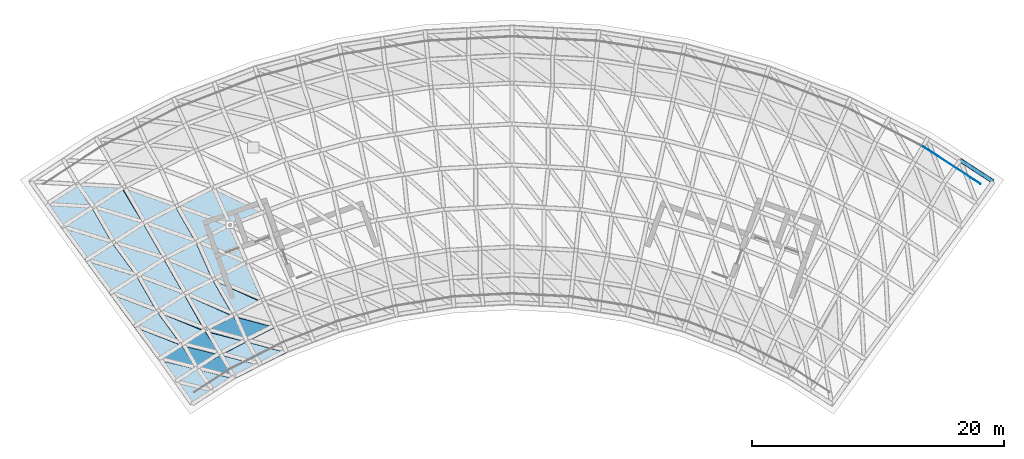
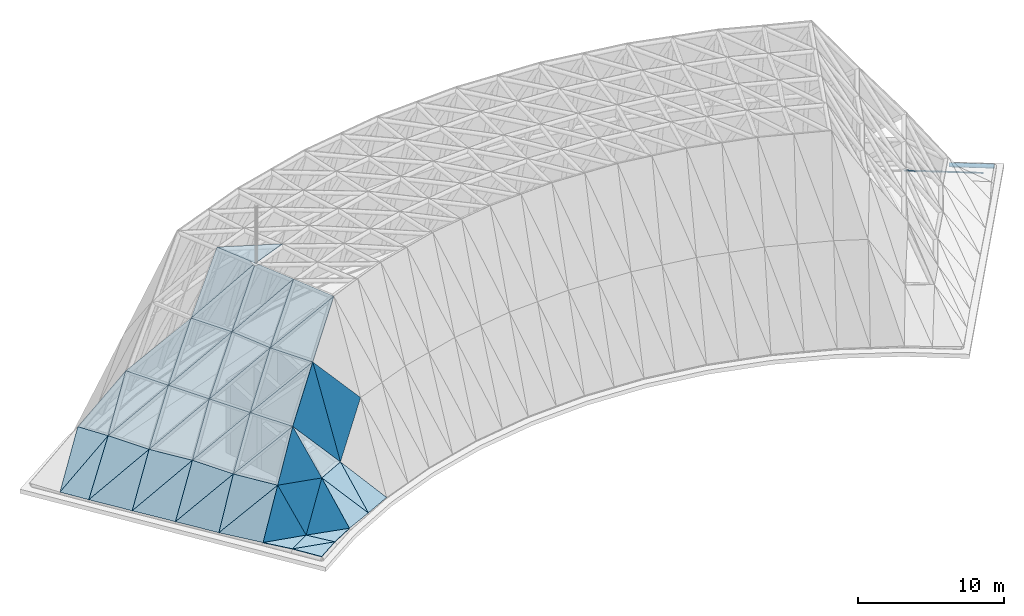
# One storey, part 11 of 20: 47 plates, 2 members, 12 elements without a shape of their own.
"""IFC4 building model written with IfcOpenShell, lengths in metres."""

from ifc_helpers import new_model, si_unit, direction, frame, origin, origin_2d, place, context, subcontext, project, spatial, polyline, rectangle, hollow_circle, outline, extrude, material, layer, layer_set, material_profile, profile_set, type_object, element, aggregate, save


model = new_model("IFC4")

# Units and contexts
model_context = context("Model", 3, precision=1e-05, world=origin(), true_north=direction((0.0, 1.0)))
body_context = subcontext(model_context, "Body", "Model", "MODEL_VIEW")
ifc_project = project(units=[si_unit("LENGTHUNIT", "METRE"), si_unit("AREAUNIT", "SQUARE_METRE"), si_unit("VOLUMEUNIT", "CUBIC_METRE"), si_unit("PLANEANGLEUNIT", "RADIAN"), si_unit("MASSUNIT", "GRAM", prefix="KILO")], contexts=[model_context])

# Site, building, storey
site_placement = place(None, origin())
site = spatial("IfcSite", under=ifc_project, at=site_placement, CompositionType="ELEMENT")
building_placement = place(site_placement, origin())
building = spatial("IfcBuilding", under=site, at=building_placement, Name="Stone Belt Terrace Tower", CompositionType="ELEMENT")
storey_placement = place(building_placement, frame((0.0, 0.0, 337.39990234375)))
storey = spatial("IfcBuildingStorey", under=building, at=storey_placement, Name="RF", CompositionType="ELEMENT", Elevation=337.39990234375)

# Members
ifc_material_1 = material(Name="Structural steel C345", Category="steel")
ifc_material_profile_1 = material_profile(ifc_material_1, hollow_circle(Radius=0.16259765625, WallThickness=0.011962890625, at=origin_2d()), Name="Structural steel C345 CHS 325x12")
ifc_profile_set_1 = profile_set([ifc_material_profile_1], Name="Structural steel C345")
member_type_1 = type_object("IfcMemberType", Name="Crown ring and ridge tube CHS 325 x 12", PredefinedType="CHORD", material=ifc_profile_set_1)
member_1_placement = place(storey_placement, frame((35.562255859375, 55.375732421875, 0.16259765625), z_axis=(0.838932264631, -0.544235845348, 0.0), x_axis=(0.544235845348, 0.838932264631, 0.0)))
element("IfcMember", 1, at=member_1_placement, inside=storey, type_object=member_type_1, Name="CROWN FRAME ring beam 577", PredefinedType="CHORD", context=body_context, shape_type="SweptSolid", body=[
    extrude(hollow_circle(Radius=0.16259765625, WallThickness=0.011962890625, at=origin_2d()), origin(), (0.0, 0.0, 1.0), 3.114013671875),
])
ifc_material_2 = material(Name="Stainless steel AISI 304", Category="steel")
ifc_material_profile_2 = material_profile(ifc_material_2, rectangle(XDim=0.050048828125, YDim=0.10009765625, at=origin_2d()), Name="Stainless steel AISI 304 100x50")
ifc_profile_set_2 = profile_set([ifc_material_profile_2], Name="Stainless steel AISI 304")
member_type_2 = type_object("IfcMemberType", Name="Snow retention bar 100 x 50", PredefinedType="MEMBER", material=ifc_profile_set_2)
member_2_placement = place(storey_placement, frame((32.599365234375, 56.463134765625, 0.050048828125), z_axis=(0.838953554469, -0.544203025942, 0.0), x_axis=(0.544203025942, 0.838953554469, 0.0)))
element("IfcMember", 2, at=member_2_placement, inside=storey, type_object=member_type_2, Name="SNOW GUARD retention bar outer 12", PredefinedType="MEMBER", context=body_context, shape_type="SweptSolid", body=[
    extrude(rectangle(XDim=0.050048828125, YDim=0.10009765625, at=origin_2d()), origin(), (0.0, 0.0, 1.0), 5.454345703125),
])

# Curtain wall, plate
ifc_layer_1 = layer(ifc_material_1, 0.324951171875)
ifc_layer_set_1 = layer_set([ifc_layer_1], Name="CW-F glass point curtain wall")
curtain_wall_type = type_object("IfcCurtainWallType", Name="CW-F glass point curtain wall", PredefinedType="NOTDEFINED", material=ifc_layer_set_1)
curtain_wall_1_placement = place(storey_placement, origin())
curtain_wall_1 = element("IfcCurtainWall", 3, at=curtain_wall_1_placement, inside=storey, type_object=curtain_wall_type, Name="CW-F glass point panels 29", PredefinedType="NOTDEFINED")
ifc_material_3 = material(Name="Clear double glazed unit")
ifc_layer_2 = layer(ifc_material_3, 0.044921875)
ifc_layer_set_2 = layer_set([ifc_layer_2], Name="Glass point facet panel 45")
plate_type = type_object("IfcPlateType", Name="Glass point facet panel 45", PredefinedType="CURTAIN_PANEL", material=ifc_layer_set_2)
plate_1_placement = place(storey_placement, frame((-30.997314453125, 53.231689453125, 7.497314453125), z_axis=(-0.642670945578, -0.456290396825, 0.615445472382), x_axis=(-0.504648433516, -0.352303728586, -0.788170058664)))
plate_1 = element("IfcPlate", 4, at=plate_1_placement, type_object=plate_type, Name="GLASS POINT FACET 6", PredefinedType="CURTAIN_PANEL", context=body_context, shape_type="SweptSolid", body=[
    extrude(outline(polyline([(0.0, 0.0), (4.624971009498672, 1.3704315460216776e-16), (4.569063448269762, -2.3147664331014144), (0.0, 0.0)])), origin(), (0.0, 0.0, -1.0), 0.044921875),
])

curtain_wall_2_placement = place(storey_placement, origin())
curtain_wall_2 = element("IfcCurtainWall", 5, at=curtain_wall_2_placement, inside=storey, type_object=curtain_wall_type, Name="CW-F glass point panels 15", PredefinedType="NOTDEFINED")
plate_2_placement = place(storey_placement, frame((-35.77783203125, 50.02685546875, 0.289794921875), z_axis=(-0.631502130375, -0.448946223854, 0.632180628791), x_axis=(-0.578451173205, 0.815715713597, 0.001454238107)))
plate_2 = element("IfcPlate", 6, at=plate_2_placement, type_object=plate_type, Name="GLASS POINT FACET 7", PredefinedType="CURTAIN_PANEL", context=body_context, shape_type="SweptSolid", body=[
    extrude(outline(polyline([(0.0, 0.0), (2.182467994455267, 1.3183898417423734e-16), (-0.1250143894548064, -4.600599357459272), (0.0, 0.0)])), origin(), (0.0, 0.0, -1.0), 0.044921875),
])

curtain_wall_3_placement = place(storey_placement, origin())
curtain_wall_3 = element("IfcCurtainWall", 7, at=curtain_wall_3_placement, inside=storey, type_object=curtain_wall_type, Name="CW-F glass point panels 35", PredefinedType="NOTDEFINED")
plate_3_placement = place(storey_placement, frame((-34.636474609375, 53.513671875, 3.90625), z_axis=(-0.631477631685, -0.449022725506, 0.63215076735), x_axis=(0.564106453596, -0.825387910047, -0.022775139061)))
plate_3 = element("IfcPlate", 8, at=plate_3_placement, type_object=plate_type, Name="GLASS POINT FACET 8", PredefinedType="CURTAIN_PANEL", context=body_context, shape_type="SweptSolid", body=[
    extrude(outline(polyline([(0.0, 0.0), (2.315435917144852, -6.938893903907228e-17), (0.13526311848683956, -4.661897205819855), (0.0, 0.0)])), origin(), (0.0, 0.0, -1.0), 0.044921875),
])

curtain_wall_4_placement = place(storey_placement, origin())
curtain_wall_4 = element("IfcCurtainWall", 9, at=curtain_wall_4_placement, inside=storey, type_object=curtain_wall_type, Name="CW-F glass point panels 1", PredefinedType="NOTDEFINED")
plate_4_placement = place(storey_placement, frame((-35.778564453125, 50.027587890625, 0.28955078125), z_axis=(-0.671008804428, -0.387438698825, 0.632169628369), x_axis=(0.531891946398, 0.342480051271, 0.774466507887)))
plate_4 = element("IfcPlate", 10, at=plate_4_placement, type_object=plate_type, Name="GLASS POINT FACET 9", PredefinedType="CURTAIN_PANEL", context=body_context, shape_type="SweptSolid", body=[
    extrude(outline(polyline([(0.0, 0.0), (4.601516872367612, -1.1102230246251565e-16), (4.495265463896582, -3.2514109569189404), (0.0, 0.0)])), origin(), (0.0, 0.0, -1.0), 0.044921875),
])

curtain_wall_5_placement = place(storey_placement, origin())
curtain_wall_5 = element("IfcCurtainWall", 11, at=curtain_wall_5_placement, inside=storey, type_object=curtain_wall_type, Name="CW-F glass point panels 8", PredefinedType="NOTDEFINED")
plate_5_placement = place(storey_placement, frame((-30.998291015625, 53.23193359375, 7.49658203125), z_axis=(-0.666402751005, -0.421387557997, 0.615093407068), x_axis=(0.516614914571, -0.855805053745, -0.026584582521)))
plate_5 = element("IfcPlate", 12, at=plate_5_placement, type_object=plate_type, Name="GLASS POINT FACET 10", PredefinedType="CURTAIN_PANEL", context=body_context, shape_type="SweptSolid", body=[
    extrude(outline(polyline([(0.0, 0.0), (3.3519927595636196, -6.938893903907228e-17), (0.2853588312470053, -4.615687602465389), (0.0, 0.0)])), origin(), (0.0, 0.0, -1.0), 0.044921875),
])

# Plate
plate_6_placement = place(storey_placement, frame((-27.645263671875, 47.546142578125, 7.403076171875), z_axis=(-0.671129337404, -0.387300218454, 0.632126532635), x_axis=(-0.733535348006, 0.223523835922, -0.641843429506)))
plate_6 = element("IfcPlate", 13, at=plate_6_placement, type_object=plate_type, Name="GLASS POINT FACET 11", PredefinedType="CURTAIN_PANEL", context=body_context, shape_type="SweptSolid", body=[
    extrude(outline(polyline([(0.0, 0.0), (5.540909699915704, 0.0), (1.8168391086139863, -2.696920250217225), (0.0, 0.0)])), origin(), (0.0, 0.0, -1.0), 0.044921875),
])

# Curtain wall, plate
curtain_wall_6_placement = place(storey_placement, origin())
curtain_wall_6 = element("IfcCurtainWall", 14, at=curtain_wall_6_placement, inside=storey, type_object=curtain_wall_type, Name="CW-F glass point panels 22", PredefinedType="NOTDEFINED")
plate_7_placement = place(storey_placement, frame((-33.33203125, 51.603515625, 3.852294921875), z_axis=(-0.671031640071, -0.387418275108, 0.632157906015), x_axis=(0.733642434848, -0.223709618937, 0.641656281965)))
plate_7 = element("IfcPlate", 15, at=plate_7_placement, type_object=plate_type, Name="GLASS POINT FACET 12", PredefinedType="CURTAIN_PANEL", context=body_context, shape_type="SweptSolid", body=[
    extrude(outline(polyline([(0.0, 0.0), (5.5417648094014815, -6.661338147750939e-16), (1.8182135044075183, -2.697858208550836), (0.0, 0.0)])), origin(), (0.0, 0.0, -1.0), 0.044921875),
])

# Plate
plate_8_placement = place(storey_placement, frame((-35.7783203125, 50.028076171875, 0.2900390625), z_axis=(-0.655338883603, -0.482823811157, 0.580871857657), x_axis=(0.733692238766, -0.224129952737, 0.641452619497)))
plate_8 = element("IfcPlate", 16, at=plate_8_placement, type_object=plate_type, Name="GLASS POINT FACET 13", PredefinedType="CURTAIN_PANEL", context=body_context, shape_type="SweptSolid", body=[
    extrude(outline(polyline([(0.0, 0.0), (5.547710995067593, 0.0), (1.999004381470682, -2.5738778844972505), (0.0, 0.0)])), origin(), (0.0, 0.0, -1.0), 0.044921875),
])

plate_9_placement = place(storey_placement, frame((-27.64501953125, 47.546875, 7.403564453125), z_axis=(-0.655335090247, -0.482799810907, 0.58089608544), x_axis=(-0.488554912902, -0.315592422623, -0.813458984745)))
plate_9 = element("IfcPlate", 17, at=plate_9_placement, type_object=plate_type, Name="GLASS POINT FACET 14", PredefinedType="CURTAIN_PANEL", context=body_context, shape_type="SweptSolid", body=[
    extrude(outline(polyline([(0.0, 0.0), (4.378545993002295, -3.885780586188048e-16), (4.488018312533735, -3.2497310497512903), (0.0, 0.0)])), origin(), (0.0, 0.0, -1.0), 0.044921875),
])

plate_10_placement = place(storey_placement, frame((-31.927734375, 44.78759765625, 0.279052734375), z_axis=(-0.655352851901, -0.48269771373, 0.580960890822), x_axis=(-0.592438944735, 0.805614664564, 0.001053091065)))
plate_10 = element("IfcPlate", 18, at=plate_10_placement, type_object=plate_type, Name="GLASS POINT FACET 15", PredefinedType="CURTAIN_PANEL", context=body_context, shape_type="SweptSolid", body=[
    extrude(outline(polyline([(0.0, 0.0), (3.2456535472382066, 1.7954387976359953e-16), (-0.15647334780982214, -4.3792098783319275), (0.0, 0.0)])), origin(), (0.0, 0.0, -1.0), 0.044921875),
])

# Curtain wall, plate
curtain_wall_7_placement = place(storey_placement, origin())
curtain_wall_7 = element("IfcCurtainWall", 19, at=curtain_wall_7_placement, inside=storey, type_object=curtain_wall_type, Name="CW-F glass point panels 41", PredefinedType="NOTDEFINED")
plate_11_placement = place(storey_placement, frame((-31.708740234375, 48.785400390625, 3.84814453125), z_axis=(-0.655352529978, -0.482767657958, 0.580903132959), x_axis=(0.59215025625, -0.805825878069, -0.00165174409)))
plate_11 = element("IfcPlate", 20, at=plate_11_placement, type_object=plate_type, Name="GLASS POINT FACET 16", PredefinedType="CURTAIN_PANEL", context=body_context, shape_type="SweptSolid", body=[
    extrude(outline(polyline([(0.0, 0.0), (3.2517711325001515, -1.5525775109992423e-16), (-0.14750779324732494, -4.381489838869238), (0.0, 0.0)])), origin(), (0.0, 0.0, -1.0), 0.044921875),
])

# Plate
plate_12_placement = place(storey_placement, frame((-31.928466796875, 44.7880859375, 0.2783203125), z_axis=(-0.704685125267, -0.406902918168, 0.581247700567), x_axis=(0.489330492352, 0.314501950282, 0.813415141562)))
plate_12 = element("IfcPlate", 21, at=plate_12_placement, type_object=plate_type, Name="GLASS POINT FACET 17", PredefinedType="CURTAIN_PANEL", context=body_context, shape_type="SweptSolid", body=[
    extrude(outline(polyline([(0.0, 0.0), (4.382083567012703, 2.7755575615628914e-16), (4.284905338184088, -3.2506055867975574), (0.0, 0.0)])), origin(), (0.0, 0.0, -1.0), 0.044921875),
])

plate_13_placement = place(storey_placement, frame((-27.64599609375, 47.547607421875, 7.403076171875), z_axis=(-0.704648829946, -0.407144918104, 0.581122226488), x_axis=(0.499175519241, -0.866499021065, -0.001802077687)))
plate_13 = element("IfcPlate", 22, at=plate_13_placement, type_object=plate_type, Name="GLASS POINT FACET 18", PredefinedType="CURTAIN_PANEL", context=body_context, shape_type="SweptSolid", body=[
    extrude(outline(polyline([(0.0, 0.0), (3.251455274625974, 7.546047120499111e-17), (0.13596212721906611, -4.376633239914948), (0.0, 0.0)])), origin(), (0.0, 0.0, -1.0), 0.044921875),
])

plate_14_placement = place(storey_placement, frame((-24.35546875, 41.78271484375, 7.438232421875), z_axis=(-0.711922710681, -0.39465027507, 0.580876247065), x_axis=(-0.695986521056, 0.286212575883, -0.658547738523)))
plate_14 = element("IfcPlate", 23, at=plate_14_placement, type_object=plate_type, Name="GLASS POINT FACET 19", PredefinedType="CURTAIN_PANEL", context=body_context, shape_type="SweptSolid", body=[
    extrude(outline(polyline([(0.0, 0.0), (5.471171082948714, 0.0), (2.032098052379365, -2.71139176110646), (0.0, 0.0)])), origin(), (0.0, 0.0, -1.0), 0.044921875),
])

plate_15_placement = place(storey_placement, frame((-29.784912109375, 46.166259765625, 3.841796875), z_axis=(-0.704670622179, -0.406883943911, 0.581278565256), x_axis=(0.700310521293, -0.267172326715, 0.66195477308)))
plate_15 = element("IfcPlate", 24, at=plate_15_placement, type_object=plate_type, Name="GLASS POINT FACET 20", PredefinedType="CURTAIN_PANEL", context=body_context, shape_type="SweptSolid", body=[
    extrude(outline(polyline([(0.0, 0.0), (5.37219835609687, 0.0), (1.8850712608082123, -2.6498296824600973), (0.0, 0.0)])), origin(), (0.0, 0.0, -1.0), 0.044921875),
])

plate_16_placement = place(storey_placement, frame((-31.928466796875, 44.788818359375, 0.279052734375), z_axis=(-0.686632712364, -0.505903300226, 0.52210857983), x_axis=(0.70039058536, -0.267781713853, 0.661623746298)))
plate_16 = element("IfcPlate", 25, at=plate_16_placement, type_object=plate_type, Name="GLASS POINT FACET 21", PredefinedType="CURTAIN_PANEL", context=body_context, shape_type="SweptSolid", body=[
    extrude(outline(polyline([(0.0, 0.0), (5.378207220172735, 2.220446049250313e-16), (2.048184193487517, -2.534229768444754), (0.0, 0.0)])), origin(), (0.0, 0.0, -1.0), 0.044921875),
])

plate_17_placement = place(storey_placement, frame((-24.35546875, 41.783447265625, 7.43896484375), z_axis=(-0.692497294479, -0.510111498611, 0.5101311166), x_axis=(-0.437213679812, -0.265708366783, -0.859210836761)))
plate_17 = element("IfcPlate", 26, at=plate_17_placement, type_object=plate_type, Name="GLASS POINT FACET 22", PredefinedType="CURTAIN_PANEL", context=body_context, shape_type="SweptSolid", body=[
    extrude(outline(polyline([(0.0, 0.0), (4.2036439156964125, -2.7755575615628914e-17), (4.34474146465671, -3.3254614678998595), (0.0, 0.0)])), origin(), (0.0, 0.0, -1.0), 0.044921875),
])

plate_18_placement = place(storey_placement, frame((-28.02685546875, 39.50048828125, 0.36962890625), z_axis=(-0.689870003266, -0.491452460295, 0.531557953439), x_axis=(-0.59516277551, 0.803046471001, -0.029960575094)))
plate_18 = element("IfcPlate", 27, at=plate_18_placement, type_object=plate_type, Name="GLASS POINT FACET 23", PredefinedType="CURTAIN_PANEL", context=body_context, shape_type="SweptSolid", body=[
    extrude(outline(polyline([(0.0, 0.0), (3.316532945852604, 1.6653345369377348e-16), (-0.2583521083981183, -4.077402526586981), (0.0, 0.0)])), origin(), (0.0, 0.0, -1.0), 0.044921875),
])

plate_19_placement = place(storey_placement, frame((-28.16259765625, 43.349365234375, 3.8369140625), z_axis=(-0.686677608264, -0.505876264593, 0.522075729401), x_axis=(0.591857666539, -0.806038405948, -0.00256723489)))
plate_19 = element("IfcPlate", 28, at=plate_19_placement, type_object=plate_type, Name="GLASS POINT FACET 24", PredefinedType="CURTAIN_PANEL", context=body_context, shape_type="SweptSolid", body=[
    extrude(outline(polyline([(0.0, 0.0), (3.3284534686261265, -1.8301332671555315e-16), (-0.12256979684786386, -4.1827566192739845), (0.0, 0.0)])), origin(), (0.0, 0.0, -1.0), 0.044921875),
])

plate_20_placement = place(storey_placement, frame((-28.027587890625, 39.501220703125, 0.36962890625), z_axis=(-0.209796980513, -0.887403030248, 0.410488841352), x_axis=(0.448959556778, 0.285522263049, 0.846706769597)))
plate_20 = element("IfcPlate", 29, at=plate_20_placement, type_object=plate_type, Name="GLASS POINT FACET 25", PredefinedType="CURTAIN_PANEL", context=body_context, shape_type="SweptSolid", body=[
    extrude(outline(polyline([(0.0, 0.0), (4.085509458334608, 2.220446049250313e-16), (1.1467001257005462, -2.86824375174619), (0.0, 0.0)])), origin(), (0.0, 0.0, -1.0), 0.044921875),
])

plate_21_placement = place(storey_placement, frame((-24.356201171875, 41.783935546875, 7.43896484375), z_axis=(-0.221811009668, -0.894013833606, 0.389280286312), x_axis=(0.288487710661, -0.441520618108, -0.8496083713)))
plate_21 = element("IfcPlate", 30, at=plate_21_placement, type_object=plate_type, Name="GLASS POINT FACET 26", PredefinedType="CURTAIN_PANEL", context=body_context, shape_type="SweptSolid", body=[
    extrude(outline(polyline([(0.0, 0.0), (4.250005020811818, 0.0), (3.031466324801913, -2.912093537074041), (0.0, 0.0)])), origin(), (0.0, 0.0, -1.0), 0.044921875),
])

plate_22_placement = place(storey_placement, frame((-22.03173828125, 38.015380859375, 0.36962890625), z_axis=(-0.228907994877, -0.882776441057, 0.410252221196), x_axis=(-0.967986234477, 0.25100328656, 0.0)))
plate_22 = element("IfcPlate", 31, at=plate_22_placement, type_object=plate_type, Name="GLASS POINT FACET 27", PredefinedType="CURTAIN_PANEL", context=body_context, shape_type="SweptSolid", body=[
    extrude(outline(polyline([(0.0, 0.0), (3.090137887257748, -5.551115123125783e-17), (1.5390999784177408, -3.794200579346726), (0.0, 0.0)])), origin(), (0.0, 0.0, -1.0), 0.044921875),
])

aggregate(curtain_wall_5, [plate_5, plate_8, plate_13, plate_17, plate_22])

plate_23_placement = place(storey_placement, frame((-26.194091796875, 40.66748046875, 3.828369140625), z_axis=(-0.219940077, -0.886731442113, 0.406612483941), x_axis=(0.970622776532, -0.240606171935, 0.000309361841)))
plate_23 = element("IfcPlate", 32, at=plate_23_placement, type_object=plate_type, Name="GLASS POINT FACET 28", PredefinedType="CURTAIN_PANEL", context=body_context, shape_type="SweptSolid", body=[
    extrude(outline(polyline([(0.0, 0.0), (3.156699922805062, 1.2902005852577503e-17), (1.5877478752748522, -3.7871730417276543), (0.0, 0.0)])), origin(), (0.0, 0.0, -1.0), 0.044921875),
])

plate_24_placement = place(storey_placement, frame((-28.028076171875, 39.501953125, 0.3701171875), z_axis=(0.0, 0.0, 1.0), x_axis=(0.973172069591, -0.230078514789, 0.0)))
plate_24 = element("IfcPlate", 33, at=plate_24_placement, type_object=plate_type, Name="GLASS POINT FACET 29", PredefinedType="CURTAIN_PANEL", context=body_context, shape_type="SweptSolid", body=[
    extrude(outline(polyline([(0.0, 0.0), (3.089977787163284, 1.1102230246251565e-16), (1.718401839356141, -1.3006594712717303), (0.0, 0.0)])), origin(), (0.0, 0.0, -1.0), 0.044921875),
])

plate_25_placement = place(storey_placement, frame((-22.031005859375, 38.015869140625, 0.3701171875), z_axis=(0.0, 0.0, 1.0), x_axis=(-0.88107721021, -0.472972461829, 0.0)))
plate_25 = element("IfcPlate", 34, at=plate_25_placement, type_object=plate_type, Name="GLASS POINT FACET 30", PredefinedType="CURTAIN_PANEL", context=body_context, shape_type="SweptSolid", body=[
    extrude(outline(polyline([(0.0, 0.0), (1.911944030533089, 0.0), (2.2695939652963353, -2.098946982100258), (0.0, 0.0)])), origin(), (0.0, 0.0, -1.0), 0.044921875),
])

aggregate(curtain_wall_2, [plate_2, plate_6, plate_14, plate_18, plate_25])

plate_26_placement = place(storey_placement, frame((-25.380615234375, 36.031494140625, 0.3701171875), z_axis=(0.0, 0.0, 1.0), x_axis=(-0.575834660477, 0.817566170896, 0.0)))
plate_26 = element("IfcPlate", 35, at=plate_26_placement, type_object=plate_type, Name="GLASS POINT FACET 31", PredefinedType="CURTAIN_PANEL", context=body_context, shape_type="SweptSolid", body=[
    extrude(outline(polyline([(0.0, 0.0), (2.2148556044596024, 0.0), (-0.07579696965111982, -1.98498597634944), (0.0, 0.0)])), origin(), (0.0, 0.0, -1.0), 0.044921875),
])

plate_27_placement = place(storey_placement, frame((-25.022216796875, 38.791748046875, 0.3701171875), z_axis=(0.0, 0.0, 1.0), x_axis=(0.614377130101, -0.78901251068, 0.0)))
plate_27 = element("IfcPlate", 36, at=plate_27_placement, type_object=plate_type, Name="GLASS POINT FACET 32", PredefinedType="CURTAIN_PANEL", context=body_context, shape_type="SweptSolid", body=[
    extrude(outline(polyline([(0.0, 0.0), (2.129157165299608, -2.220446049250313e-16), (-0.2541966406732701, -1.8730509092607026), (0.0, 0.0)])), origin(), (0.0, 0.0, -1.0), 0.044921875),
])

plate_28_placement = place(storey_placement, frame((-22.46337890625, 50.19873046875, 15.372802734375), z_axis=(-0.708683857615, -0.313612459356, 0.631992417116), x_axis=(-0.703434739065, 0.245160257923, -0.667140177033)))
plate_28 = element("IfcPlate", 37, at=plate_28_placement, type_object=plate_type, Name="GLASS POINT FACET 43", PredefinedType="CURTAIN_PANEL", context=body_context, shape_type="SweptSolid", body=[
    extrude(outline(polyline([(0.0, 0.0), (6.033800336992515, 0.0), (1.6587444106084197, -2.8006241451721285), (0.0, 0.0)])), origin(), (0.0, 0.0, -1.0), 0.044921875),
])

plate_29_placement = place(storey_placement, frame((-30.999267578125, 53.23193359375, 7.495361328125), z_axis=(-0.684132179196, -0.431205822365, 0.588238642174), x_axis=(0.718538488585, -0.260064680987, 0.645033954242)))
plate_29 = element("IfcPlate", 38, at=plate_29_placement, type_object=plate_type, Name="GLASS POINT FACET 45", PredefinedType="CURTAIN_PANEL", context=body_context, shape_type="SweptSolid", body=[
    extrude(outline(polyline([(0.0, 0.0), (5.975263816005139, 4.440892098500626e-16), (1.932998325632994, -2.738490365416854), (0.0, 0.0)])), origin(), (0.0, 0.0, -1.0), 0.044921875),
])

# Curtain wall, plate
curtain_wall_8_placement = place(storey_placement, origin())
curtain_wall_8 = element("IfcCurtainWall", 39, at=curtain_wall_8_placement, inside=storey, type_object=curtain_wall_type, Name="CW-F glass point panels 9", PredefinedType="NOTDEFINED")
plate_30_placement = place(storey_placement, frame((-22.463134765625, 50.19921875, 15.37353515625), z_axis=(-0.699684359942, -0.404020936198, 0.58924432926), x_axis=(-0.525307570767, -0.268083953045, -0.807578448335)))
plate_30 = element("IfcPlate", 40, at=plate_30_placement, type_object=plate_type, Name="GLASS POINT FACET 46", PredefinedType="CURTAIN_PANEL", context=body_context, shape_type="SweptSolid", body=[
    extrude(outline(polyline([(0.0, 0.0), (4.9905658649149025, -6.938893903907228e-17), (5.0840606642745385, -3.2497752616201145), (0.0, 0.0)])), origin(), (0.0, 0.0, -1.0), 0.044921875),
])

# Plate
plate_31_placement = place(storey_placement, frame((-27.646240234375, 47.546142578125, 7.40185546875), z_axis=(-0.699714822398, -0.403681968851, 0.589440442573), x_axis=(-0.498820401311, 0.866704201194, 0.001426488204)))
plate_31 = element("IfcPlate", 41, at=plate_31_placement, type_object=plate_type, Name="GLASS POINT FACET 47", PredefinedType="CURTAIN_PANEL", context=body_context, shape_type="SweptSolid", body=[
    extrude(outline(polyline([(0.0, 0.0), (3.2518122920336285, 8.586881206085195e-17), (-0.1320908390494851, -4.881470691531247), (0.0, 0.0)])), origin(), (0.0, 0.0, -1.0), 0.044921875),
])

# Curtain wall, plate
curtain_wall_9_placement = place(storey_placement, origin())
curtain_wall_9 = element("IfcCurtainWall", 42, at=curtain_wall_9_placement, inside=storey, type_object=curtain_wall_type, Name="CW-F glass point panels 47", PredefinedType="NOTDEFINED")
plate_32_placement = place(storey_placement, frame((-26.70654296875, 51.678466796875, 11.34912109375), z_axis=(-0.699670154208, -0.404012790007, 0.589266782384), x_axis=(0.499151919983, -0.866513314982, -0.001426792008)))
plate_32 = element("IfcPlate", 43, at=plate_32_placement, type_object=plate_type, Name="GLASS POINT FACET 48", PredefinedType="CURTAIN_PANEL", context=body_context, shape_type="SweptSolid", body=[
    extrude(outline(polyline([(0.0, 0.0), (3.251119888368526, -8.890457814381136e-17), (-0.13388251403266807, -4.880708478138269), (0.0, 0.0)])), origin(), (0.0, 0.0, -1.0), 0.044921875),
])

# Plate
plate_33_placement = place(storey_placement, frame((-27.64697265625, 47.546875, 7.4013671875), z_axis=(-0.738067887956, -0.32859413411, 0.589306107042), x_axis=(0.524752172987, 0.269475439443, 0.807476404908)))
plate_33 = element("IfcPlate", 44, at=plate_33_placement, type_object=plate_type, Name="GLASS POINT FACET 49", PredefinedType="CURTAIN_PANEL", context=body_context, shape_type="SweptSolid", body=[
    extrude(outline(polyline([(0.0, 0.0), (4.883257529768355, -4.85722573273506e-16), (4.770712904508958, -3.249890351938914), (0.0, 0.0)])), origin(), (0.0, 0.0, -1.0), 0.044921875),
])

aggregate(curtain_wall_4, [plate_4, plate_12, plate_20, plate_28, plate_33])

# Curtain wall, plate
curtain_wall_10_placement = place(storey_placement, origin())
curtain_wall_10 = element("IfcCurtainWall", 45, at=curtain_wall_10_placement, inside=storey, type_object=curtain_wall_type, Name="CW-F glass point panels 16", PredefinedType="NOTDEFINED")
plate_34_placement = place(storey_placement, frame((-22.4638671875, 50.199951171875, 15.372802734375), z_axis=(-0.738074911868, -0.328638284891, 0.589272689147), x_axis=(0.406312737215, -0.913733824394, -0.00067656145)))
plate_34 = element("IfcPlate", 46, at=plate_34_placement, type_object=plate_type, Name="GLASS POINT FACET 50", PredefinedType="CURTAIN_PANEL", context=body_context, shape_type="SweptSolid", body=[
    extrude(outline(polyline([(0.0, 0.0), (3.2476955735370336, -1.6740081543176188e-16), (0.15992111146829002, -4.987933958240542), (0.0, 0.0)])), origin(), (0.0, 0.0, -1.0), 0.044921875),
])

# Plate
plate_35_placement = place(storey_placement, frame((-19.7783203125, 44.06005859375, 15.37060546875), z_axis=(-0.742257735876, -0.319595087907, 0.588992727729), x_axis=(-0.669185724013, 0.307251154791, -0.676599730015)))
plate_35 = element("IfcPlate", 47, at=plate_35_placement, type_object=plate_type, Name="GLASS POINT FACET 51", PredefinedType="CURTAIN_PANEL", context=body_context, shape_type="SweptSolid", body=[
    extrude(outline(polyline([(0.0, 0.0), (5.960266705488429, 0.0), (1.8894995748129613, -2.8928577813637397), (0.0, 0.0)])), origin(), (0.0, 0.0, -1.0), 0.044921875),
])

aggregate(curtain_wall_8, [plate_30, plate_35])

plate_36_placement = place(storey_placement, frame((-25.08544921875, 48.86279296875, 11.34326171875), z_axis=(-0.738101848728, -0.328609125574, 0.589255210833), x_axis=(0.671842117288, -0.277825692208, 0.686615652449)))
plate_36 = element("IfcPlate", 48, at=plate_36_placement, type_object=plate_type, Name="GLASS POINT FACET 52", PredefinedType="CURTAIN_PANEL", context=body_context, shape_type="SweptSolid", body=[
    extrude(outline(polyline([(0.0, 0.0), (5.866566189556641, -2.220446049250313e-16), (1.7087774574508616, -2.7666827055533827), (0.0, 0.0)])), origin(), (0.0, 0.0, -1.0), 0.044921875),
])

aggregate(curtain_wall_6, [plate_7, plate_15, plate_21, plate_24, plate_36])

plate_37_placement = place(storey_placement, frame((-27.646728515625, 47.547607421875, 7.40185546875), z_axis=(-0.728303456849, -0.420677939799, 0.540928965493), x_axis=(0.672465032495, -0.286960707263, 0.682234807496)))
plate_37 = element("IfcPlate", 49, at=plate_37_placement, type_object=plate_type, Name="GLASS POINT FACET 53", PredefinedType="CURTAIN_PANEL", context=body_context, shape_type="SweptSolid", body=[
    extrude(outline(polyline([(0.0, 0.0), (5.772546898232953, -2.220446049250313e-16), (1.8960194669339812, -2.6411537567671775), (0.0, 0.0)])), origin(), (0.0, 0.0, -1.0), 0.044921875),
])

plate_38_placement = place(storey_placement, frame((-19.778076171875, 44.060791015625, 15.371337890625), z_axis=(-0.732891362218, -0.423152761143, 0.532740079141), x_axis=(-0.482265040527, -0.229204876268, -0.845509051034)))
plate_38 = element("IfcPlate", 50, at=plate_38_placement, type_object=plate_type, Name="GLASS POINT FACET 54", PredefinedType="CURTAIN_PANEL", context=body_context, shape_type="SweptSolid", body=[
    extrude(outline(polyline([(0.0, 0.0), (4.7793877783557495, 1.1102230246251565e-16), (4.91386076029143, -3.3736885215092443), (0.0, 0.0)])), origin(), (0.0, 0.0, -1.0), 0.044921875),
])

plate_39_placement = place(storey_placement, frame((-24.3564453125, 41.782958984375, 7.437255859375), z_axis=(-0.730372899663, -0.405494638966, 0.549663101552), x_axis=(-0.492310854818, 0.870335261196, -0.012106004627)))
plate_39 = element("IfcPlate", 51, at=plate_39_placement, type_object=plate_type, Name="GLASS POINT FACET 55", PredefinedType="CURTAIN_PANEL", context=body_context, shape_type="SweptSolid", body=[
    extrude(outline(polyline([(0.0, 0.0), (3.3880397591830738, -1.6653345369377348e-16), (-0.13738297724569906, -4.660742592146946), (0.0, 0.0)])), origin(), (0.0, 0.0, -1.0), 0.044921875),
])

aggregate(curtain_wall_1, [plate_1, plate_9, plate_16, plate_23, plate_39])

plate_40_placement = place(storey_placement, frame((-23.765869140625, 45.891845703125, 11.339599609375), z_axis=(-0.72836658471, -0.420571861824, 0.540926452783), x_axis=(0.498712865443, -0.866763972462, -0.002386185959)))
plate_40 = element("IfcPlate", 52, at=plate_40_placement, type_object=plate_type, Name="GLASS POINT FACET 56", PredefinedType="CURTAIN_PANEL", context=body_context, shape_type="SweptSolid", body=[
    extrude(outline(polyline([(0.0, 0.0), (3.3763674597167155, 6.591949208711867e-17), (-0.11085935250418355, -4.689707969958935), (0.0, 0.0)])), origin(), (0.0, 0.0, -1.0), 0.044921875),
])

# Curtain wall, plate
curtain_wall_11_placement = place(storey_placement, origin())
curtain_wall_11 = element("IfcCurtainWall", 53, at=curtain_wall_11_placement, inside=storey, type_object=curtain_wall_type, Name="CW-F glass point panels 2", PredefinedType="NOTDEFINED")
plate_41_placement = place(storey_placement, frame((-24.357177734375, 41.783447265625, 7.437744140625), z_axis=(0.048615596208, -0.963254218889, 0.264154942408), x_axis=(0.487782059202, 0.253682275315, 0.835292742642)))
plate_41 = element("IfcPlate", 54, at=plate_41_placement, type_object=plate_type, Name="GLASS POINT FACET 57", PredefinedType="CURTAIN_PANEL", context=body_context, shape_type="SweptSolid", body=[
    extrude(outline(polyline([(0.0, 0.0), (4.662766945997785, 0.0), (-1.628209616262823, -4.709394210296141), (0.0, 0.0)])), origin(), (0.0, 0.0, -1.0), 0.044921875),
])
aggregate(curtain_wall_11, [plate_41])

# Plate
plate_42_placement = place(storey_placement, frame((-22.08349609375, 42.96630859375, 11.332275390625), z_axis=(0.034044008843, -0.964347335795, 0.262440891262), x_axis=(0.663331993493, -0.174612826405, -0.727668212349)))
plate_42 = element("IfcPlate", 55, at=plate_42_placement, type_object=plate_type, Name="GLASS POINT FACET 60", PredefinedType="CURTAIN_PANEL", context=body_context, shape_type="SweptSolid", body=[
    extrude(outline(polyline([(0.0, 0.0), (4.963548420771046, 4.440892098500626e-16), (6.514694507518202, -4.394716760906815), (0.0, 0.0)])), origin(), (0.0, 0.0, -1.0), 0.044921875),
])

aggregate(curtain_wall_3, [plate_3, plate_10, plate_19, plate_26, plate_29, plate_37, plate_42])

plate_43_placement = place(storey_placement, frame((-24.357177734375, 41.783935546875, 7.439208984375), z_axis=(0.386319074605, -0.758221831563, 0.525221121756), x_axis=(0.664362895454, -0.166262178674, -0.728682942772)))
plate_43 = element("IfcPlate", 56, at=plate_43_placement, type_object=plate_type, Name="GLASS POINT FACET 61", PredefinedType="CURTAIN_PANEL", context=body_context, shape_type="SweptSolid", body=[
    extrude(outline(polyline([(0.0, 0.0), (4.983774950267834, -4.440892098500626e-16), (3.7579192468198777, -1.985765615199241), (0.0, 0.0)])), origin(), (0.0, 0.0, -1.0), 0.044921875),
])

aggregate(curtain_wall_9, [plate_32, plate_43])

plate_44_placement = place(storey_placement, frame((-17.88037109375, 40.09619140625, 0.240234375), z_axis=(0.386001105669, -0.758387784415, 0.52521530335), x_axis=(-0.89488179034, -0.446097874114, 0.013537652249)))
plate_44 = element("IfcPlate", 57, at=plate_44_placement, type_object=plate_type, Name="GLASS POINT FACET 62", PredefinedType="CURTAIN_PANEL", context=body_context, shape_type="SweptSolid", body=[
    extrude(outline(polyline([(0.0, 0.0), (2.2723082395626393, -4.163336342344337e-17), (2.499585227244631, -4.1551963845573265), (0.0, 0.0)])), origin(), (0.0, 0.0, -1.0), 0.044921875),
])

aggregate(curtain_wall_10, [plate_34, plate_38, plate_44])

# Curtain wall, plate
curtain_wall_12_placement = place(storey_placement, origin())
curtain_wall_12 = element("IfcCurtainWall", 58, at=curtain_wall_12_placement, inside=storey, type_object=curtain_wall_type, Name="CW-F glass point panels 36", PredefinedType="NOTDEFINED")
plate_45_placement = place(storey_placement, frame((-22.03271484375, 38.01513671875, 0.369384765625), z_axis=(0.399922646415, -0.744634532186, 0.534398063581), x_axis=(-0.268405115037, 0.462345994472, 0.845100512139)))
plate_45 = element("IfcPlate", 59, at=plate_45_placement, type_object=plate_type, Name="GLASS POINT FACET 63", PredefinedType="CURTAIN_PANEL", context=body_context, shape_type="SweptSolid", body=[
    extrude(outline(polyline([(0.0, 0.0), (4.095008001610807, 3.469446951953614e-17), (-0.15867901515283606, -2.370610673107568), (0.0, 0.0)])), origin(), (0.0, 0.0, -1.0), 0.044921875),
])
aggregate(curtain_wall_12, [plate_45])

# Plate
plate_46_placement = place(storey_placement, frame((-21.047119140625, 40.955810546875, 3.808837890625), z_axis=(0.386331617656, -0.758210935461, 0.52522762546), x_axis=(0.272570605502, -0.450158040468, -0.850331114107)))
plate_46 = element("IfcPlate", 60, at=plate_46_placement, type_object=plate_type, Name="GLASS POINT FACET 64", PredefinedType="CURTAIN_PANEL", context=body_context, shape_type="SweptSolid", body=[
    extrude(outline(polyline([(0.0, 0.0), (4.161407432992842, -2.7755575615628914e-17), (-0.11417974496806887, -2.330542994583876), (0.0, 0.0)])), origin(), (0.0, 0.0, -1.0), 0.044921875),
])

plate_47_placement = place(storey_placement, frame((-22.46435546875, 50.198486328125, 15.372314453125), z_axis=(0.000429889938, 0.000928774557, 0.999999476286), x_axis=(-0.405184896404, 0.914234512689, -0.000674933198)))
plate_47 = element("IfcPlate", 61, at=plate_47_placement, type_object=plate_type, Name="GLASS POINT FACET 79", PredefinedType="CURTAIN_PANEL", context=body_context, shape_type="SweptSolid", body=[
    extrude(outline(polyline([(0.0, 0.0), (3.2555305209614964, -1.1326948087158131e-18), (-0.14197773837726071, -2.980573352651705), (0.0, 0.0)])), origin(), (0.0, 0.0, -1.0), 0.044921875),
])

aggregate(curtain_wall_7, [plate_11, plate_27, plate_31, plate_40, plate_46, plate_47])

save(model, "model.ifc")
